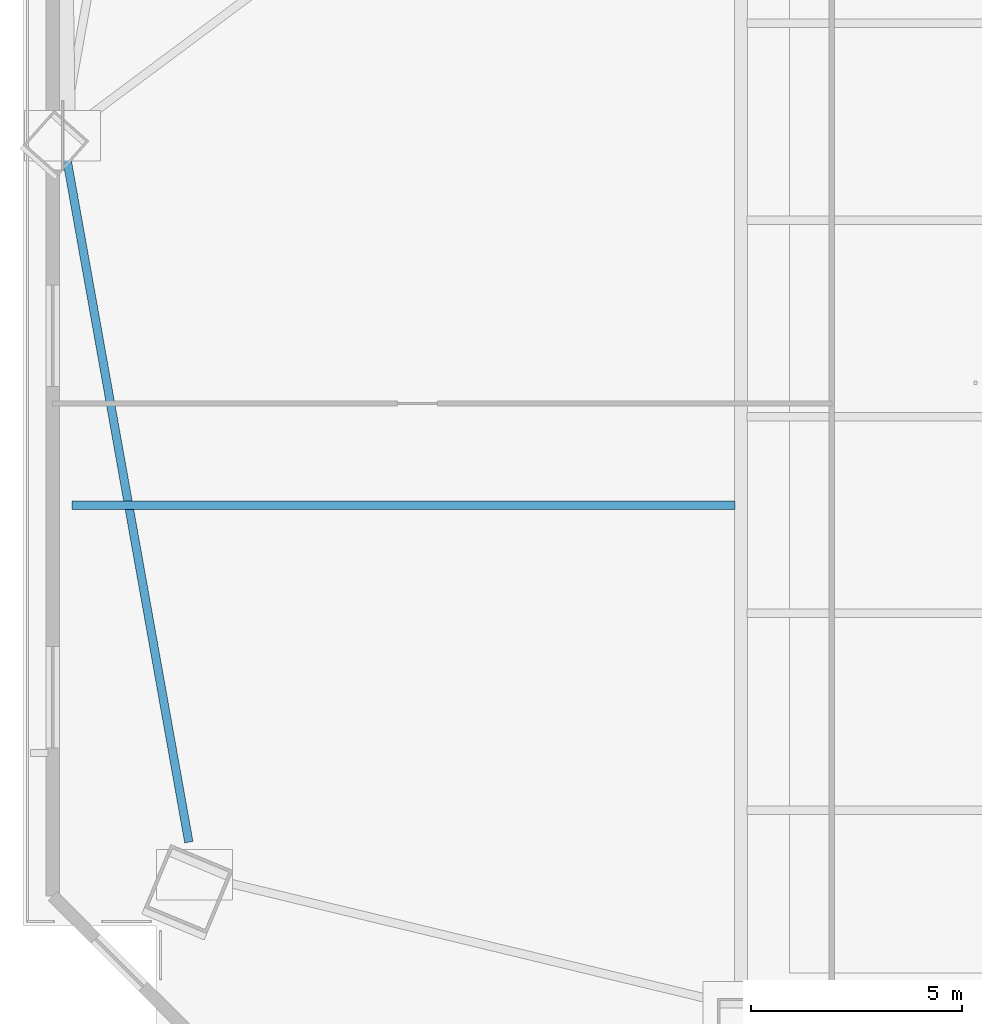
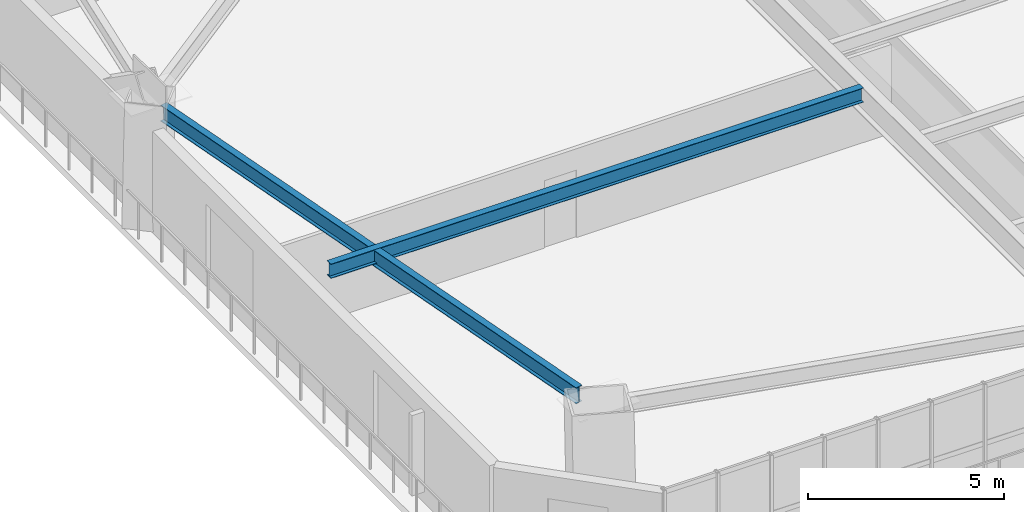
# One storey, part 3 of 17: 2 beams.
"""IFC4 building model written with IfcOpenShell, lengths in metres."""

import ifcopenshell
import ifcopenshell.guid

model = None  # the IFC model being written
_history = None  # IfcOwnerHistory: only IFC2X3 demands one
_inside = {}  # id of a spatial element -> (the spatial element, [elements in it])
_under = {}  # id of a project, library or spatial element -> (it, [spatial elements below it])
_declared = {}  # id of a project -> (the project, [libraries it declares])
_typed = {}  # id of a type object -> (the type object, [elements of that type])
_made_of = {}  # id of a material, layer set ... -> (it, [elements and type objects made of it])


def new_model(schema):
    """Start an empty IFC model of exactly this schema.

    Asked for "IFC4X3", IfcOpenShell would pick the latest addendum, in which some entities
    have other attributes; the version numbers below select the first issue.
    IFC2X3 requires an IfcOwnerHistory on every rooted entity: one is made here for all.
    """
    global model, _history
    if schema == "IFC4X3":
        model = ifcopenshell.file(schema_version=(4, 3, 0, 0))
    else:
        model = ifcopenshell.file(schema=schema)
    _inside.clear()
    _under.clear()
    _declared.clear()
    _typed.clear()
    _made_of.clear()
    _history = None
    if model.schema == "IFC2X3":
        org = make("IfcOrganization", Name="unknown")
        user = make(
            "IfcPersonAndOrganization",
            ThePerson=make("IfcPerson", FamilyName="unknown"),
            TheOrganization=org,
        )
        app = make(
            "IfcApplication",
            ApplicationDeveloper=org,
            Version="unknown",
            ApplicationFullName="unknown",
            ApplicationIdentifier="unknown",
        )
        _history = make(
            "IfcOwnerHistory",
            OwningUser=user,
            OwningApplication=app,
            ChangeAction="ADDED",
            CreationDate=0,
        )
    return model


def make(cls, **values):
    """One entity of the class cls with the attributes given. An attribute that is None is left unset."""
    return model.create_entity(
        cls, **{name: value for name, value in values.items() if value is not None}
    )


def rooted(cls, **values):
    """An entity with a GlobalId (a new one), such as an element, a storey or a relation."""
    return make(cls, GlobalId=ifcopenshell.guid.new(), OwnerHistory=_history, **values)


def si_unit(unit_type, name, prefix=None):
    """IfcSIUnit, for example si_unit("LENGTHUNIT", "METRE", prefix="MILLI")."""
    return make("IfcSIUnit", UnitType=unit_type, Prefix=prefix, Name=name)


def assignment(units):
    """IfcUnitAssignment: the units of a project."""
    return None if units is None else make("IfcUnitAssignment", Units=units)


def point(xyz):
    """IfcCartesianPoint."""
    return None if xyz is None else make("IfcCartesianPoint", Coordinates=xyz)


def direction(xyz):
    """IfcDirection."""
    return None if xyz is None else make("IfcDirection", DirectionRatios=xyz)


def frame(location, z_axis=None, x_axis=None):
    """IfcAxis2Placement3D, a coordinate frame: its origin and axes. An axis left out is left unset."""
    return make(
        "IfcAxis2Placement3D",
        Location=point(location),
        Axis=direction(z_axis),
        RefDirection=direction(x_axis),
    )


def frame_2d(location, x_axis=None):
    """IfcAxis2Placement2D, a coordinate frame in the plane: its origin and x axis."""
    return make(
        "IfcAxis2Placement2D", Location=point(location), RefDirection=direction(x_axis)
    )


def origin():
    """The frame at (0, 0, 0) with its axes left unset."""
    return frame((0.0, 0.0, 0.0))


def origin_2d():
    """The frame at (0, 0) in the plane with its x axis left unset."""
    return frame_2d((0.0, 0.0))


def place(relative_to, where):
    """IfcLocalPlacement: puts the frame where relative to a parent placement (None: the world)."""
    return make(
        "IfcLocalPlacement", PlacementRelTo=relative_to, RelativePlacement=where
    )


def context(
    kind, dimensions, precision=None, world=None, true_north=None, identifier=None
):
    """IfcGeometricRepresentationContext, for example the 3D "Model" context."""
    return make(
        "IfcGeometricRepresentationContext",
        ContextIdentifier=identifier,
        ContextType=kind,
        CoordinateSpaceDimension=dimensions,
        Precision=precision,
        WorldCoordinateSystem=world,
        TrueNorth=true_north,
    )


def subcontext(parent, identifier, kind, view, scale=None):
    """IfcGeometricRepresentationSubContext, for example "Body" below "Model"."""
    return make(
        "IfcGeometricRepresentationSubContext",
        ContextIdentifier=identifier,
        ContextType=kind,
        ParentContext=parent,
        TargetScale=scale,
        TargetView=view,
    )


def project(units=None, contexts=None):
    """IfcProject with its units and contexts."""
    return rooted(
        "IfcProject",
        Name="project",
        RepresentationContexts=contexts,
        UnitsInContext=assignment(units),
    )


def spatial(cls, under=None, at=None, **own):
    """A site, building, storey or space (cls), placed at a placement, below another one or the project."""
    s = rooted(cls, ObjectPlacement=at, **own)
    if under is not None:
        _under.setdefault(under.id(), (under, []))[1].append(s)
    return s


def profile(cls, at=None, kind="AREA", **sizes):
    """A parametric profile (cls). Its sizes go by their IFC names, for example OverallWidth=200.0."""
    return make(cls, ProfileType=kind, Position=at, **sizes)


def i_section(**sizes):
    """IfcIShapeProfileDef."""
    return profile("IfcIShapeProfileDef", **sizes)


def extrude(swept, where, along, depth):
    """IfcExtrudedAreaSolid: the profile swept, set in the frame where, extruded along a direction by depth."""
    return make(
        "IfcExtrudedAreaSolid",
        SweptArea=swept,
        Position=where,
        ExtrudedDirection=direction(along),
        Depth=depth,
    )


def shape(context_of_items, identifier, shape_type, items):
    """IfcShapeRepresentation: the items that make up one representation, for example the "Body"."""
    return make(
        "IfcShapeRepresentation",
        ContextOfItems=context_of_items,
        RepresentationIdentifier=identifier,
        RepresentationType=shape_type,
        Items=items,
    )


def source(mapping_origin, context_of_items, identifier, shape_type, items):
    """IfcRepresentationMap: a shape defined once, which mapped items show again and again."""
    return make(
        "IfcRepresentationMap",
        MappingOrigin=mapping_origin,
        MappedRepresentation=shape(context_of_items, identifier, shape_type, items),
    )


def transform(
    local_origin,
    x_axis=None,
    y_axis=None,
    z_axis=None,
    scale=None,
    scale2=None,
    scale3=None,
    uniform=True,
):
    """IfcCartesianTransformationOperator3D, or its non-uniform kind. x_axis, y_axis, z_axis: its Axis1, 2, 3."""
    if uniform:
        return make(
            "IfcCartesianTransformationOperator3D",
            Axis1=direction(x_axis),
            Axis2=direction(y_axis),
            LocalOrigin=point(local_origin),
            Scale=scale,
            Axis3=direction(z_axis),
        )
    return make(
        "IfcCartesianTransformationOperator3DnonUniform",
        Axis1=direction(x_axis),
        Axis2=direction(y_axis),
        LocalOrigin=point(local_origin),
        Scale=scale,
        Axis3=direction(z_axis),
        Scale2=scale2,
        Scale3=scale3,
    )


def mapped(mapping_source, mapping_target):
    """IfcMappedItem: shows the shape of a source again, moved by a transform."""
    return make(
        "IfcMappedItem", MappingSource=mapping_source, MappingTarget=mapping_target
    )


def material(Name=None, Category=None):
    """IfcMaterial."""
    return make("IfcMaterial", Name=Name, Category=Category)


def material_profile(
    of_material, cross_section, Name=None, Category=None, Priority=None
):
    """IfcMaterialProfile: a cross section and its material."""
    return make(
        "IfcMaterialProfile",
        Name=Name,
        Material=of_material,
        Profile=cross_section,
        Priority=Priority,
        Category=Category,
    )


def profile_set(profiles, Name=None, composite=None):
    """IfcMaterialProfileSet."""
    return make(
        "IfcMaterialProfileSet",
        Name=Name,
        MaterialProfiles=profiles,
        CompositeProfile=composite,
    )


def made_of(thing, what):
    """Note that an element or type object is made of a material, layer set ...; save() writes the relation."""
    if what is not None:
        _made_of.setdefault(what.id(), (what, []))[1].append(thing)
    return thing


def type_object(cls, material=None, **own):
    """A type object (cls), such as IfcWallType, which elements share."""
    return made_of(rooted(cls, **own), material)


def element(
    cls,
    number,
    at=None,
    inside=None,
    cuts=None,
    type_object=None,
    material=None,
    context=None,
    identifier="Body",
    shape_type=None,
    held_by="IfcProductDefinitionShape",
    body=None,
    shapes=None,
    **own,
):
    """One element of the class cls, such as IfcWall. Its Tag is "e" and its number.

    at: its placement. inside: the storey or other place that contains it. cuts: it is an
    opening in that element (IfcRelVoidsElement). A single representation is given by context,
    identifier, shape_type and body (its items); several are given by shapes. held_by: the class
    of the entity that holds the representations. save() writes the other relations.
    """
    e = rooted(cls, Tag="e%d" % number, ObjectPlacement=at, **own)
    if body is not None:
        shapes = [shape(context, identifier, shape_type, body)]
    if shapes is not None:
        e.Representation = make(held_by, Representations=shapes)
    if inside is not None:
        _inside.setdefault(inside.id(), (inside, []))[1].append(e)
    if cuts is not None:
        rooted(
            "IfcRelVoidsElement", RelatingBuildingElement=cuts, RelatedOpeningElement=e
        )
    if type_object is not None:
        _typed.setdefault(type_object.id(), (type_object, []))[1].append(e)
    return made_of(e, material)


def aggregate(whole, parts):
    """IfcRelAggregates: a whole, such as a stair, and the parts it consists of."""
    return rooted("IfcRelAggregates", RelatingObject=whole, RelatedObjects=parts)


def save(model, path):
    """Write the relations noted so far, then the file.

    IfcRelAggregates (storeys below a building ...), IfcRelContainedInSpatialStructure (elements
    in a storey), IfcRelDefinesByType, IfcRelAssociatesMaterial and IfcRelDeclares: one each for
    every whole, place, type object, material and project.
    """
    for whole, parts in _under.values():
        aggregate(whole, parts)
    for where, things in _inside.values():
        rooted(
            "IfcRelContainedInSpatialStructure",
            RelatedElements=things,
            RelatingStructure=where,
        )
    for kind, things in _typed.values():
        rooted("IfcRelDefinesByType", RelatedObjects=things, RelatingType=kind)
    for what, things in _made_of.values():
        rooted("IfcRelAssociatesMaterial", RelatedObjects=things, RelatingMaterial=what)
    for by, libraries in _declared.values():
        rooted("IfcRelDeclares", RelatingContext=by, RelatedDefinitions=libraries)
    model.write(path)


model = new_model("IFC4")

# Units and contexts
model_context = context("Model", 3, precision=1e-05, world=origin(), true_north=direction((0.0, 1.0)))
body_context = subcontext(model_context, "Body", "Model", "MODEL_VIEW")
ifc_project = project(units=[si_unit("LENGTHUNIT", "METRE"), si_unit("AREAUNIT", "SQUARE_METRE"), si_unit("VOLUMEUNIT", "CUBIC_METRE"), si_unit("PLANEANGLEUNIT", "RADIAN"), si_unit("MASSUNIT", "GRAM", prefix="KILO")], contexts=[model_context])

# Site, building, storey
site_placement = place(None, origin())
site = spatial("IfcSite", under=ifc_project, at=site_placement, CompositionType="ELEMENT")
building_placement = place(site_placement, origin())
building = spatial("IfcBuilding", under=site, at=building_placement, Name="Giltprow Tower", CompositionType="ELEMENT")
storey_placement = place(building_placement, frame((0.0, 0.0, 57.199951171875)))
storey = spatial("IfcBuildingStorey", under=building, at=storey_placement, Name="L14", CompositionType="ELEMENT", Elevation=57.199951171875)

# Beams
ifc_material = material(Name="Structural steel Q355B", Category="steel")
ifc_material_profile_1 = material_profile(ifc_material, i_section(OverallWidth=0.199951171875, OverallDepth=0.5, WebThickness=0.010009765625, FlangeThickness=0.01611328125, at=origin_2d()), Name="HN 500x200x10x16")
ifc_profile_set_1 = profile_set([ifc_material_profile_1], Name="Structural steel Q355B")
beam_type_1 = type_object("IfcBeamType", Name="BM-SPAN-HN500", PredefinedType="SPANDREL", material=ifc_profile_set_1)
shared_shape_1 = source(origin(), body_context, "Body", "SweptSolid", [
    extrude(i_section(OverallWidth=0.199951171875, OverallDepth=0.5, WebThickness=0.010009765625, FlangeThickness=0.01611328125, at=origin_2d()), origin(), (0.0, 0.0, 1.0), 16.443115234375),
])
beam_1_placement = place(storey_placement, frame((3.89892578125, 24.964111328125, 3.429931640625), z_axis=(0.175766999583, -0.984431796448, 0.0), x_axis=(0.984431796448, 0.175766999583, 0.0)))
element("IfcBeam", 1, at=beam_1_placement, inside=storey, type_object=beam_type_1, Name="L14 Perimeter Spandrel Beam W_MID-MC_SW", PredefinedType="SPANDREL", context=body_context, shape_type="MappedRepresentation", body=[
    mapped(shared_shape_1, transform((0.0, 0.0, 0.0), x_axis=(1.0, 0.0, 0.0), y_axis=(0.0, 1.0, 0.0), z_axis=(0.0, 0.0, 1.0), scale=1.0)),
])
ifc_material_profile_2 = material_profile(ifc_material, i_section(OverallWidth=0.199951171875, OverallDepth=0.449951171875, WebThickness=0.009033203125, FlangeThickness=0.013916015625, at=origin_2d()), Name="HN 450x200x9x14")
ifc_profile_set_2 = profile_set([ifc_material_profile_2], Name="Structural steel Q355B")
beam_type_2 = type_object("IfcBeamType", Name="BM-JOIST-HN450", PredefinedType="JOIST", material=ifc_profile_set_2)
shared_shape_2 = source(origin(), body_context, "Body", "SweptSolid", [
    extrude(i_section(OverallWidth=0.199951171875, OverallDepth=0.449951171875, WebThickness=0.009033203125, FlangeThickness=0.013916015625, at=origin_2d()), origin(), (0.0, 0.0, 1.0), 15.68017578125),
])
beam_2_placement = place(storey_placement, frame((4.02490234375, 16.7470703125, 3.455078125), z_axis=(1.0, 0.0, 0.0), x_axis=(0.0, 1.0, 0.0)))
element("IfcBeam", 2, at=beam_2_placement, inside=storey, type_object=beam_type_2, Name="L14 West Wing Floor Joist 1", PredefinedType="JOIST", context=body_context, shape_type="MappedRepresentation", body=[
    mapped(shared_shape_2, transform((0.0, 0.0, 0.0), x_axis=(1.0, 0.0, 0.0), y_axis=(0.0, 1.0, 0.0), z_axis=(0.0, 0.0, 1.0), scale=1.0)),
])

save(model, "model.ifc")
